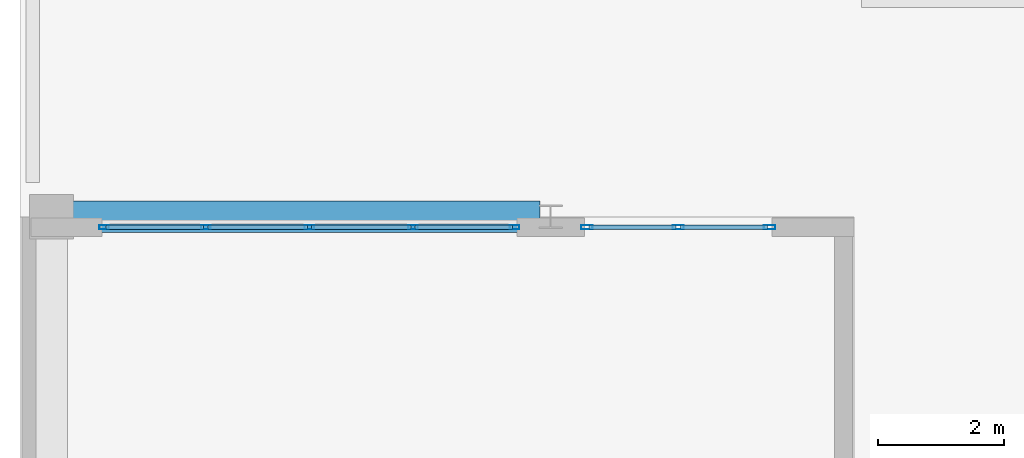
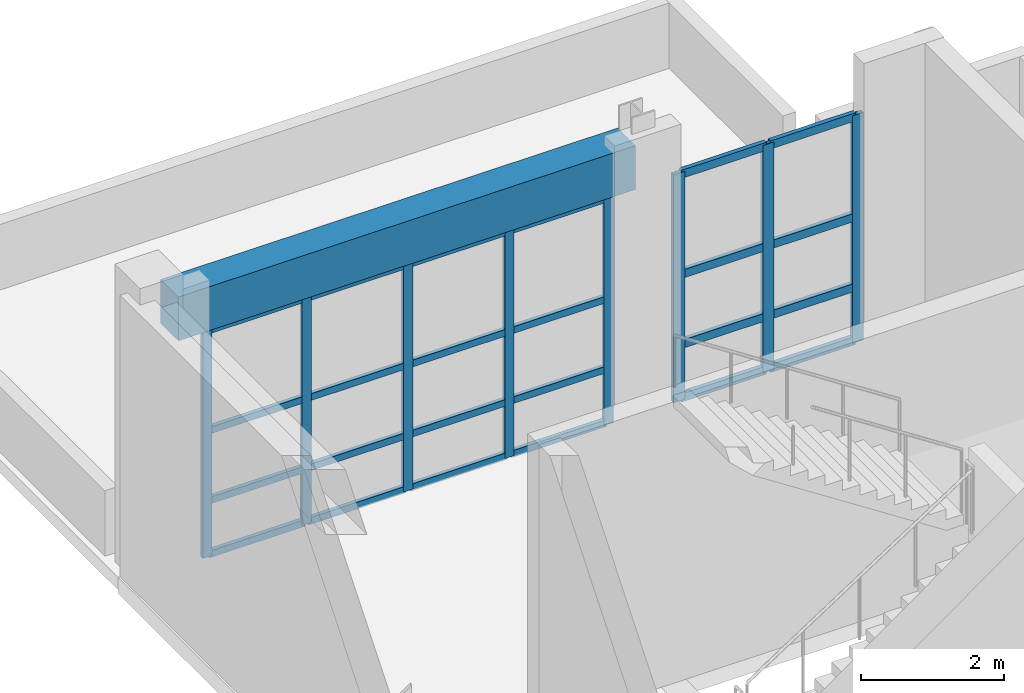
# One storey, part 26 of 78: 32 members, 1 beam, 2 elements without a shape of their own.
"""IFC4 building model written with IfcOpenShell, lengths in metres."""

from ifc_helpers import new_model, si_unit, direction, frame, origin, origin_2d, place, context, subcontext, project, spatial, rectangle, hollow_rectangle, extrude, material, layer, layer_set, material_profile, profile_set, type_object, element, aggregate, save


model = new_model("IFC4")

# Units and contexts
model_context = context("Model", 3, precision=1e-05, world=origin(), true_north=direction((0.0, 1.0)))
body_context = subcontext(model_context, "Body", "Model", "MODEL_VIEW")
ifc_project = project(units=[si_unit("LENGTHUNIT", "METRE"), si_unit("AREAUNIT", "SQUARE_METRE"), si_unit("VOLUMEUNIT", "CUBIC_METRE"), si_unit("PLANEANGLEUNIT", "RADIAN"), si_unit("MASSUNIT", "GRAM", prefix="KILO")], contexts=[model_context])

# Site, building, storey
site_placement = place(None, origin())
site = spatial("IfcSite", under=ifc_project, at=site_placement, CompositionType="ELEMENT")
building_placement = place(site_placement, origin())
building = spatial("IfcBuilding", under=site, at=building_placement, Name="Quendrovan Civic Courthouse", CompositionType="ELEMENT")
storey_placement = place(building_placement, frame((0.0, 0.0, 10.199951171875)))
storey = spatial("IfcBuildingStorey", under=building, at=storey_placement, Name="L03", CompositionType="ELEMENT", Elevation=10.199951171875)

# Beam
ifc_material_1 = material(Name="Concrete C40/50", Category="concrete")
ifc_material_profile_1 = material_profile(ifc_material_1, rectangle(XDim=0.5, YDim=0.75, at=origin_2d()), Name="RC-BM-500x750")
ifc_profile_set_1 = profile_set([ifc_material_profile_1], Name="Concrete C40/50")
beam_type = type_object("IfcBeamType", Name="BM-RC750", PredefinedType="SPANDREL", material=ifc_profile_set_1)
beam_placement = place(storey_placement, frame((0.830078125, 94.800048828125, 4.28515625), z_axis=(1.0, 0.0, 0.0), x_axis=(0.0, 1.0, 0.0)))
element("IfcBeam", 1, at=beam_placement, inside=storey, type_object=beam_type, Name="L03 Girder X0771", PredefinedType="SPANDREL", context=body_context, shape_type="SweptSolid", body=[
    extrude(rectangle(XDim=0.5, YDim=0.75, at=origin_2d()), origin(), (0.0, 0.0, 1.0), 7.40283203125),
])

# Curtain wall, members
ifc_material_2 = material(Name="Bronze anodised aluminium and low-E glass", Category="aluminium")
ifc_layer_1 = layer(ifc_material_2, 0.179931640625, Name="Bronze anodised aluminium and low-E glass")
ifc_layer_set_1 = layer_set([ifc_layer_1], Name="Bronze anodised aluminium and low-E glass")
curtain_wall_type_1 = type_object("IfcCurtainWallType", Name="CW-U30x39", PredefinedType="USERDEFINED", material=ifc_layer_set_1)
curtain_wall_1_placement = place(storey_placement, origin())
curtain_wall_1 = element("IfcCurtainWall", 2, at=curtain_wall_1_placement, inside=storey, type_object=curtain_wall_type_1, Name="L03 Unitised Hurricane Curtain Wall CW-118", ObjectType="UNITISED CURTAIN WALL", PredefinedType="USERDEFINED")
ifc_material_3 = material(Name="Bronze anodised aluminium", Category="aluminium")
ifc_material_profile_2 = material_profile(ifc_material_3, hollow_rectangle(XDim=0.070068359375, YDim=0.179931640625, WallThickness=0.00390625, at=origin_2d()), Name="CW-MULL-70x180")
ifc_profile_set_2 = profile_set([ifc_material_profile_2], Name="Bronze anodised aluminium")
member_type_1 = type_object("IfcMemberType", Name="CW-MULL-A", PredefinedType="MULLION", material=ifc_profile_set_2)
member_1_placement = place(storey_placement, frame((8.971923828125, 94.635009765625, 0.0), z_axis=(0.0, 0.0, 1.0), x_axis=(0.0, 1.0, 0.0)))
member_1 = element("IfcMember", 3, at=member_1_placement, type_object=member_type_1, Name="CW-118 mullion 1", PredefinedType="MULLION", context=body_context, shape_type="SweptSolid", body=[
    extrude(hollow_rectangle(XDim=0.070068359375, YDim=0.179931640625, WallThickness=0.00390625, at=origin_2d()), origin(), (0.0, 0.0, 1.0), 3.900146484375),
])
member_2_placement = place(storey_placement, frame((10.41845703125, 94.635009765625, 0.0), z_axis=(0.0, 0.0, 1.0), x_axis=(0.0, 1.0, 0.0)))
member_2 = element("IfcMember", 4, at=member_2_placement, type_object=member_type_1, Name="CW-118 mullion 2", PredefinedType="MULLION", context=body_context, shape_type="SweptSolid", body=[
    extrude(hollow_rectangle(XDim=0.070068359375, YDim=0.179931640625, WallThickness=0.00390625, at=origin_2d()), origin(), (0.0, 0.0, 1.0), 3.900146484375),
])
member_3_placement = place(storey_placement, frame((11.864990234375, 94.635009765625, 0.0), z_axis=(0.0, 0.0, 1.0), x_axis=(0.0, 1.0, 0.0)))
member_3 = element("IfcMember", 5, at=member_3_placement, type_object=member_type_1, Name="CW-118 mullion 3", PredefinedType="MULLION", context=body_context, shape_type="SweptSolid", body=[
    extrude(hollow_rectangle(XDim=0.070068359375, YDim=0.179931640625, WallThickness=0.00390625, at=origin_2d()), origin(), (0.0, 0.0, 1.0), 3.900146484375),
])

ifc_layer_2 = layer(ifc_material_2, 0.179931640625, Name="Bronze anodised aluminium and low-E glass")
ifc_layer_set_2 = layer_set([ifc_layer_2], Name="Bronze anodised aluminium and low-E glass")
curtain_wall_type_2 = type_object("IfcCurtainWallType", Name="CW-U66x39", PredefinedType="USERDEFINED", material=ifc_layer_set_2)
curtain_wall_2_placement = place(storey_placement, origin())
curtain_wall_2 = element("IfcCurtainWall", 6, at=curtain_wall_2_placement, inside=storey, type_object=curtain_wall_type_2, Name="L03 Unitised Hurricane Curtain Wall CW-117", ObjectType="UNITISED CURTAIN WALL", PredefinedType="USERDEFINED")
ifc_material_profile_3 = material_profile(ifc_material_3, hollow_rectangle(XDim=0.06494140625, YDim=0.14990234375, WallThickness=0.00390625, at=origin_2d()), Name="CW-MULL-65x150")
ifc_profile_set_3 = profile_set([ifc_material_profile_3], Name="Bronze anodised aluminium")
member_type_2 = type_object("IfcMemberType", Name="CW-MULL-B", PredefinedType="MULLION", material=ifc_profile_set_3)
member_4_placement = place(storey_placement, frame((1.33251953125, 94.635009765625, 0.0), z_axis=(0.0, 0.0, 1.0), x_axis=(0.0, 1.0, 0.0)))
member_4 = element("IfcMember", 7, at=member_4_placement, type_object=member_type_2, Name="CW-117 mullion 1", PredefinedType="MULLION", context=body_context, shape_type="SweptSolid", body=[
    extrude(hollow_rectangle(XDim=0.06494140625, YDim=0.14990234375, WallThickness=0.00390625, at=origin_2d()), origin(), (0.0, 0.0, 1.0), 3.900146484375),
])
member_5_placement = place(storey_placement, frame((2.940673828125, 94.635009765625, 0.0), z_axis=(0.0, 0.0, 1.0), x_axis=(0.0, 1.0, 0.0)))
member_5 = element("IfcMember", 8, at=member_5_placement, type_object=member_type_2, Name="CW-117 mullion 2", PredefinedType="MULLION", context=body_context, shape_type="SweptSolid", body=[
    extrude(hollow_rectangle(XDim=0.06494140625, YDim=0.14990234375, WallThickness=0.00390625, at=origin_2d()), origin(), (0.0, 0.0, 1.0), 3.900146484375),
])
member_6_placement = place(storey_placement, frame((4.58154296875, 94.635009765625, 0.0), z_axis=(0.0, 0.0, 1.0), x_axis=(0.0, 1.0, 0.0)))
member_6 = element("IfcMember", 9, at=member_6_placement, type_object=member_type_2, Name="CW-117 mullion 3", PredefinedType="MULLION", context=body_context, shape_type="SweptSolid", body=[
    extrude(hollow_rectangle(XDim=0.06494140625, YDim=0.14990234375, WallThickness=0.00390625, at=origin_2d()), origin(), (0.0, 0.0, 1.0), 3.900146484375),
])
member_7_placement = place(storey_placement, frame((6.22216796875, 94.635009765625, 0.0), z_axis=(0.0, 0.0, 1.0), x_axis=(0.0, 1.0, 0.0)))
member_7 = element("IfcMember", 10, at=member_7_placement, type_object=member_type_2, Name="CW-117 mullion 4", PredefinedType="MULLION", context=body_context, shape_type="SweptSolid", body=[
    extrude(hollow_rectangle(XDim=0.06494140625, YDim=0.14990234375, WallThickness=0.00390625, at=origin_2d()), origin(), (0.0, 0.0, 1.0), 3.900146484375),
])
member_8_placement = place(storey_placement, frame((7.83056640625, 94.635009765625, 0.0), z_axis=(0.0, 0.0, 1.0), x_axis=(0.0, 1.0, 0.0)))
member_8 = element("IfcMember", 11, at=member_8_placement, type_object=member_type_2, Name="CW-117 mullion 5", PredefinedType="MULLION", context=body_context, shape_type="SweptSolid", body=[
    extrude(hollow_rectangle(XDim=0.06494140625, YDim=0.14990234375, WallThickness=0.00390625, at=origin_2d()), origin(), (0.0, 0.0, 1.0), 3.900146484375),
])

# Member
ifc_material_profile_4 = material_profile(ifc_material_3, hollow_rectangle(XDim=0.070068359375, YDim=0.139892578125, WallThickness=0.00390625, at=origin_2d()), Name="CW-TRAN-70x140")
ifc_profile_set_4 = profile_set([ifc_material_profile_4], Name="Bronze anodised aluminium")
member_type_3 = type_object("IfcMemberType", Name="CW-TRAN-A", PredefinedType="USERDEFINED", material=ifc_profile_set_4)
member_9_placement = place(storey_placement, frame((9.007080078125, 94.635009765625, 0.03515625), z_axis=(1.0, 0.0, 0.0), x_axis=(0.0, 1.0, 0.0)))
member_9 = element("IfcMember", 12, at=member_9_placement, type_object=member_type_3, Name="CW-118 transom 1.1", ObjectType="TRANSOM", PredefinedType="USERDEFINED", context=body_context, shape_type="SweptSolid", body=[
    extrude(hollow_rectangle(XDim=0.070068359375, YDim=0.139892578125, WallThickness=0.00390625, at=origin_2d()), origin(), (0.0, 0.0, 1.0), 1.37646484375),
])

member_10_placement = place(storey_placement, frame((9.007080078125, 94.635009765625, 0.949951171875), z_axis=(1.0, 0.0, 0.0), x_axis=(0.0, 1.0, 0.0)))
member_10 = element("IfcMember", 13, at=member_10_placement, type_object=member_type_3, Name="CW-118 transom 1.2", ObjectType="TRANSOM", PredefinedType="USERDEFINED", context=body_context, shape_type="SweptSolid", body=[
    extrude(hollow_rectangle(XDim=0.070068359375, YDim=0.139892578125, WallThickness=0.00390625, at=origin_2d()), origin(), (0.0, 0.0, 1.0), 1.37646484375),
])

member_11_placement = place(storey_placement, frame((9.007080078125, 94.635009765625, 2.150146484375), z_axis=(1.0, 0.0, 0.0), x_axis=(0.0, 1.0, 0.0)))
member_11 = element("IfcMember", 14, at=member_11_placement, type_object=member_type_3, Name="CW-118 transom 1.3", ObjectType="TRANSOM", PredefinedType="USERDEFINED", context=body_context, shape_type="SweptSolid", body=[
    extrude(hollow_rectangle(XDim=0.070068359375, YDim=0.139892578125, WallThickness=0.00390625, at=origin_2d()), origin(), (0.0, 0.0, 1.0), 1.37646484375),
])

member_12_placement = place(storey_placement, frame((9.007080078125, 94.635009765625, 3.864990234375), z_axis=(1.0, 0.0, 0.0), x_axis=(0.0, 1.0, 0.0)))
member_12 = element("IfcMember", 15, at=member_12_placement, type_object=member_type_3, Name="CW-118 transom 1.4", ObjectType="TRANSOM", PredefinedType="USERDEFINED", context=body_context, shape_type="SweptSolid", body=[
    extrude(hollow_rectangle(XDim=0.070068359375, YDim=0.139892578125, WallThickness=0.00390625, at=origin_2d()), origin(), (0.0, 0.0, 1.0), 1.37646484375),
])

member_13_placement = place(storey_placement, frame((10.45361328125, 94.635009765625, 0.03515625), z_axis=(1.0, 0.0, 0.0), x_axis=(0.0, 1.0, 0.0)))
member_13 = element("IfcMember", 16, at=member_13_placement, type_object=member_type_3, Name="CW-118 transom 2.1", ObjectType="TRANSOM", PredefinedType="USERDEFINED", context=body_context, shape_type="SweptSolid", body=[
    extrude(hollow_rectangle(XDim=0.070068359375, YDim=0.139892578125, WallThickness=0.00390625, at=origin_2d()), origin(), (0.0, 0.0, 1.0), 1.37646484375),
])

member_14_placement = place(storey_placement, frame((10.45361328125, 94.635009765625, 0.949951171875), z_axis=(1.0, 0.0, 0.0), x_axis=(0.0, 1.0, 0.0)))
member_14 = element("IfcMember", 17, at=member_14_placement, type_object=member_type_3, Name="CW-118 transom 2.2", ObjectType="TRANSOM", PredefinedType="USERDEFINED", context=body_context, shape_type="SweptSolid", body=[
    extrude(hollow_rectangle(XDim=0.070068359375, YDim=0.139892578125, WallThickness=0.00390625, at=origin_2d()), origin(), (0.0, 0.0, 1.0), 1.37646484375),
])

member_15_placement = place(storey_placement, frame((10.45361328125, 94.635009765625, 2.150146484375), z_axis=(1.0, 0.0, 0.0), x_axis=(0.0, 1.0, 0.0)))
member_15 = element("IfcMember", 18, at=member_15_placement, type_object=member_type_3, Name="CW-118 transom 2.3", ObjectType="TRANSOM", PredefinedType="USERDEFINED", context=body_context, shape_type="SweptSolid", body=[
    extrude(hollow_rectangle(XDim=0.070068359375, YDim=0.139892578125, WallThickness=0.00390625, at=origin_2d()), origin(), (0.0, 0.0, 1.0), 1.37646484375),
])

member_16_placement = place(storey_placement, frame((10.45361328125, 94.635009765625, 3.864990234375), z_axis=(1.0, 0.0, 0.0), x_axis=(0.0, 1.0, 0.0)))
member_16 = element("IfcMember", 19, at=member_16_placement, type_object=member_type_3, Name="CW-118 transom 2.4", ObjectType="TRANSOM", PredefinedType="USERDEFINED", context=body_context, shape_type="SweptSolid", body=[
    extrude(hollow_rectangle(XDim=0.070068359375, YDim=0.139892578125, WallThickness=0.00390625, at=origin_2d()), origin(), (0.0, 0.0, 1.0), 1.37646484375),
])

aggregate(curtain_wall_1, [member_1, member_2, member_3, member_9, member_10, member_11, member_12, member_13, member_14, member_15, member_16])

ifc_material_profile_5 = material_profile(ifc_material_3, hollow_rectangle(XDim=0.06494140625, YDim=0.114990234375, WallThickness=0.00390625, at=origin_2d()), Name="CW-TRAN-65x115")
ifc_profile_set_5 = profile_set([ifc_material_profile_5], Name="Bronze anodised aluminium")
member_type_4 = type_object("IfcMemberType", Name="CW-TRAN-B", PredefinedType="USERDEFINED", material=ifc_profile_set_5)
member_17_placement = place(storey_placement, frame((1.364990234375, 94.635009765625, 0.032470703125), z_axis=(1.0, 0.0, 0.0), x_axis=(0.0, 1.0, 0.0)))
member_17 = element("IfcMember", 20, at=member_17_placement, type_object=member_type_4, Name="CW-117 transom 1.1", ObjectType="TRANSOM", PredefinedType="USERDEFINED", context=body_context, shape_type="SweptSolid", body=[
    extrude(hollow_rectangle(XDim=0.06494140625, YDim=0.114990234375, WallThickness=0.00390625, at=origin_2d()), origin(), (0.0, 0.0, 1.0), 1.543212890625),
])

member_18_placement = place(storey_placement, frame((1.364990234375, 94.635009765625, 0.949951171875), z_axis=(1.0, 0.0, 0.0), x_axis=(0.0, 1.0, 0.0)))
member_18 = element("IfcMember", 21, at=member_18_placement, type_object=member_type_4, Name="CW-117 transom 1.2", ObjectType="TRANSOM", PredefinedType="USERDEFINED", context=body_context, shape_type="SweptSolid", body=[
    extrude(hollow_rectangle(XDim=0.06494140625, YDim=0.114990234375, WallThickness=0.00390625, at=origin_2d()), origin(), (0.0, 0.0, 1.0), 1.543212890625),
])

member_19_placement = place(storey_placement, frame((1.364990234375, 94.635009765625, 2.150146484375), z_axis=(1.0, 0.0, 0.0), x_axis=(0.0, 1.0, 0.0)))
member_19 = element("IfcMember", 22, at=member_19_placement, type_object=member_type_4, Name="CW-117 transom 1.3", ObjectType="TRANSOM", PredefinedType="USERDEFINED", context=body_context, shape_type="SweptSolid", body=[
    extrude(hollow_rectangle(XDim=0.06494140625, YDim=0.114990234375, WallThickness=0.00390625, at=origin_2d()), origin(), (0.0, 0.0, 1.0), 1.543212890625),
])

member_20_placement = place(storey_placement, frame((1.364990234375, 94.635009765625, 3.867431640625), z_axis=(1.0, 0.0, 0.0), x_axis=(0.0, 1.0, 0.0)))
member_20 = element("IfcMember", 23, at=member_20_placement, type_object=member_type_4, Name="CW-117 transom 1.4", ObjectType="TRANSOM", PredefinedType="USERDEFINED", context=body_context, shape_type="SweptSolid", body=[
    extrude(hollow_rectangle(XDim=0.06494140625, YDim=0.114990234375, WallThickness=0.00390625, at=origin_2d()), origin(), (0.0, 0.0, 1.0), 1.543212890625),
])

member_21_placement = place(storey_placement, frame((2.97314453125, 94.635009765625, 0.032470703125), z_axis=(1.0, 0.0, 0.0), x_axis=(0.0, 1.0, 0.0)))
member_21 = element("IfcMember", 24, at=member_21_placement, type_object=member_type_4, Name="CW-117 transom 2.1", ObjectType="TRANSOM", PredefinedType="USERDEFINED", context=body_context, shape_type="SweptSolid", body=[
    extrude(hollow_rectangle(XDim=0.06494140625, YDim=0.114990234375, WallThickness=0.00390625, at=origin_2d()), origin(), (0.0, 0.0, 1.0), 1.575927734375),
])

member_22_placement = place(storey_placement, frame((2.97314453125, 94.635009765625, 0.949951171875), z_axis=(1.0, 0.0, 0.0), x_axis=(0.0, 1.0, 0.0)))
member_22 = element("IfcMember", 25, at=member_22_placement, type_object=member_type_4, Name="CW-117 transom 2.2", ObjectType="TRANSOM", PredefinedType="USERDEFINED", context=body_context, shape_type="SweptSolid", body=[
    extrude(hollow_rectangle(XDim=0.06494140625, YDim=0.114990234375, WallThickness=0.00390625, at=origin_2d()), origin(), (0.0, 0.0, 1.0), 1.575927734375),
])

member_23_placement = place(storey_placement, frame((2.97314453125, 94.635009765625, 2.150146484375), z_axis=(1.0, 0.0, 0.0), x_axis=(0.0, 1.0, 0.0)))
member_23 = element("IfcMember", 26, at=member_23_placement, type_object=member_type_4, Name="CW-117 transom 2.3", ObjectType="TRANSOM", PredefinedType="USERDEFINED", context=body_context, shape_type="SweptSolid", body=[
    extrude(hollow_rectangle(XDim=0.06494140625, YDim=0.114990234375, WallThickness=0.00390625, at=origin_2d()), origin(), (0.0, 0.0, 1.0), 1.575927734375),
])

member_24_placement = place(storey_placement, frame((2.97314453125, 94.635009765625, 3.867431640625), z_axis=(1.0, 0.0, 0.0), x_axis=(0.0, 1.0, 0.0)))
member_24 = element("IfcMember", 27, at=member_24_placement, type_object=member_type_4, Name="CW-117 transom 2.4", ObjectType="TRANSOM", PredefinedType="USERDEFINED", context=body_context, shape_type="SweptSolid", body=[
    extrude(hollow_rectangle(XDim=0.06494140625, YDim=0.114990234375, WallThickness=0.00390625, at=origin_2d()), origin(), (0.0, 0.0, 1.0), 1.575927734375),
])

member_25_placement = place(storey_placement, frame((4.614013671875, 94.635009765625, 0.032470703125), z_axis=(1.0, 0.0, 0.0), x_axis=(0.0, 1.0, 0.0)))
member_25 = element("IfcMember", 28, at=member_25_placement, type_object=member_type_4, Name="CW-117 transom 3.1", ObjectType="TRANSOM", PredefinedType="USERDEFINED", context=body_context, shape_type="SweptSolid", body=[
    extrude(hollow_rectangle(XDim=0.06494140625, YDim=0.114990234375, WallThickness=0.00390625, at=origin_2d()), origin(), (0.0, 0.0, 1.0), 1.57568359375),
])

member_26_placement = place(storey_placement, frame((4.614013671875, 94.635009765625, 0.949951171875), z_axis=(1.0, 0.0, 0.0), x_axis=(0.0, 1.0, 0.0)))
member_26 = element("IfcMember", 29, at=member_26_placement, type_object=member_type_4, Name="CW-117 transom 3.2", ObjectType="TRANSOM", PredefinedType="USERDEFINED", context=body_context, shape_type="SweptSolid", body=[
    extrude(hollow_rectangle(XDim=0.06494140625, YDim=0.114990234375, WallThickness=0.00390625, at=origin_2d()), origin(), (0.0, 0.0, 1.0), 1.57568359375),
])

member_27_placement = place(storey_placement, frame((4.614013671875, 94.635009765625, 2.150146484375), z_axis=(1.0, 0.0, 0.0), x_axis=(0.0, 1.0, 0.0)))
member_27 = element("IfcMember", 30, at=member_27_placement, type_object=member_type_4, Name="CW-117 transom 3.3", ObjectType="TRANSOM", PredefinedType="USERDEFINED", context=body_context, shape_type="SweptSolid", body=[
    extrude(hollow_rectangle(XDim=0.06494140625, YDim=0.114990234375, WallThickness=0.00390625, at=origin_2d()), origin(), (0.0, 0.0, 1.0), 1.57568359375),
])

member_28_placement = place(storey_placement, frame((4.614013671875, 94.635009765625, 3.867431640625), z_axis=(1.0, 0.0, 0.0), x_axis=(0.0, 1.0, 0.0)))
member_28 = element("IfcMember", 31, at=member_28_placement, type_object=member_type_4, Name="CW-117 transom 3.4", ObjectType="TRANSOM", PredefinedType="USERDEFINED", context=body_context, shape_type="SweptSolid", body=[
    extrude(hollow_rectangle(XDim=0.06494140625, YDim=0.114990234375, WallThickness=0.00390625, at=origin_2d()), origin(), (0.0, 0.0, 1.0), 1.57568359375),
])

member_29_placement = place(storey_placement, frame((6.254638671875, 94.635009765625, 0.032470703125), z_axis=(1.0, 0.0, 0.0), x_axis=(0.0, 1.0, 0.0)))
member_29 = element("IfcMember", 32, at=member_29_placement, type_object=member_type_4, Name="CW-117 transom 4.1", ObjectType="TRANSOM", PredefinedType="USERDEFINED", context=body_context, shape_type="SweptSolid", body=[
    extrude(hollow_rectangle(XDim=0.06494140625, YDim=0.114990234375, WallThickness=0.00390625, at=origin_2d()), origin(), (0.0, 0.0, 1.0), 1.54345703125),
])

member_30_placement = place(storey_placement, frame((6.254638671875, 94.635009765625, 0.949951171875), z_axis=(1.0, 0.0, 0.0), x_axis=(0.0, 1.0, 0.0)))
member_30 = element("IfcMember", 33, at=member_30_placement, type_object=member_type_4, Name="CW-117 transom 4.2", ObjectType="TRANSOM", PredefinedType="USERDEFINED", context=body_context, shape_type="SweptSolid", body=[
    extrude(hollow_rectangle(XDim=0.06494140625, YDim=0.114990234375, WallThickness=0.00390625, at=origin_2d()), origin(), (0.0, 0.0, 1.0), 1.54345703125),
])

member_31_placement = place(storey_placement, frame((6.254638671875, 94.635009765625, 2.150146484375), z_axis=(1.0, 0.0, 0.0), x_axis=(0.0, 1.0, 0.0)))
member_31 = element("IfcMember", 34, at=member_31_placement, type_object=member_type_4, Name="CW-117 transom 4.3", ObjectType="TRANSOM", PredefinedType="USERDEFINED", context=body_context, shape_type="SweptSolid", body=[
    extrude(hollow_rectangle(XDim=0.06494140625, YDim=0.114990234375, WallThickness=0.00390625, at=origin_2d()), origin(), (0.0, 0.0, 1.0), 1.54345703125),
])

member_32_placement = place(storey_placement, frame((6.254638671875, 94.635009765625, 3.867431640625), z_axis=(1.0, 0.0, 0.0), x_axis=(0.0, 1.0, 0.0)))
member_32 = element("IfcMember", 35, at=member_32_placement, type_object=member_type_4, Name="CW-117 transom 4.4", ObjectType="TRANSOM", PredefinedType="USERDEFINED", context=body_context, shape_type="SweptSolid", body=[
    extrude(hollow_rectangle(XDim=0.06494140625, YDim=0.114990234375, WallThickness=0.00390625, at=origin_2d()), origin(), (0.0, 0.0, 1.0), 1.54345703125),
])

aggregate(curtain_wall_2, [member_4, member_5, member_6, member_7, member_8, member_17, member_18, member_19, member_20, member_21, member_22, member_23, member_24, member_25, member_26, member_27, member_28, member_29, member_30, member_31, member_32])

save(model, "model.ifc")
